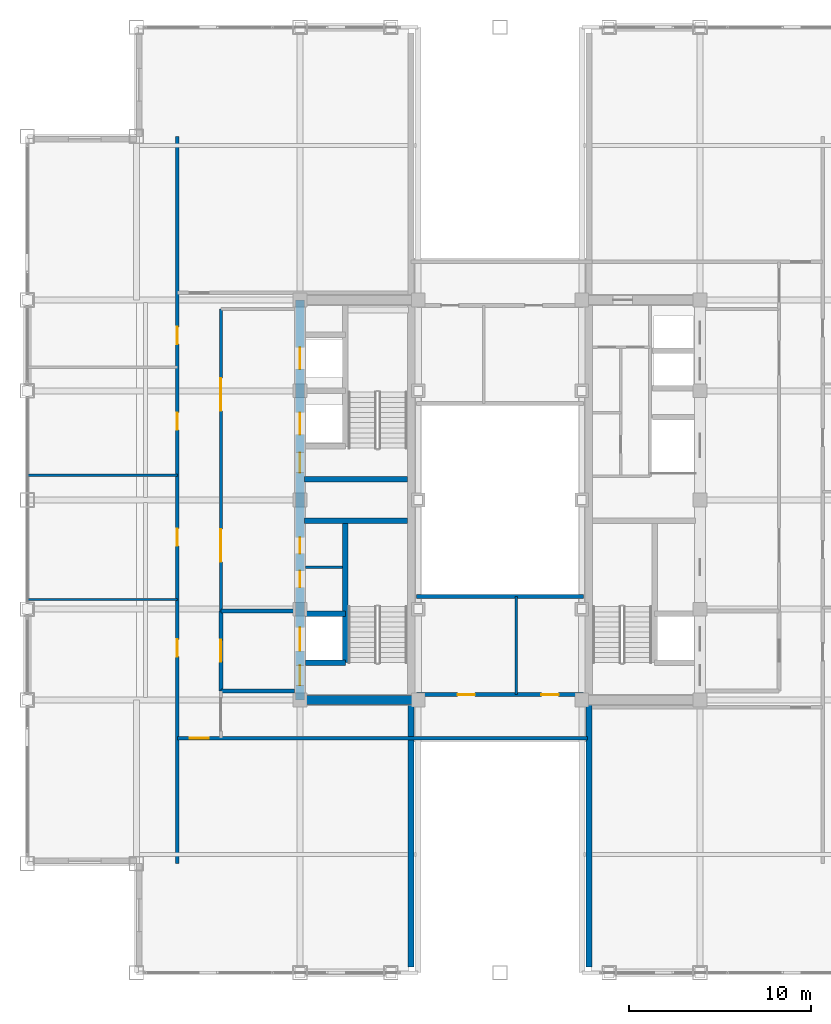
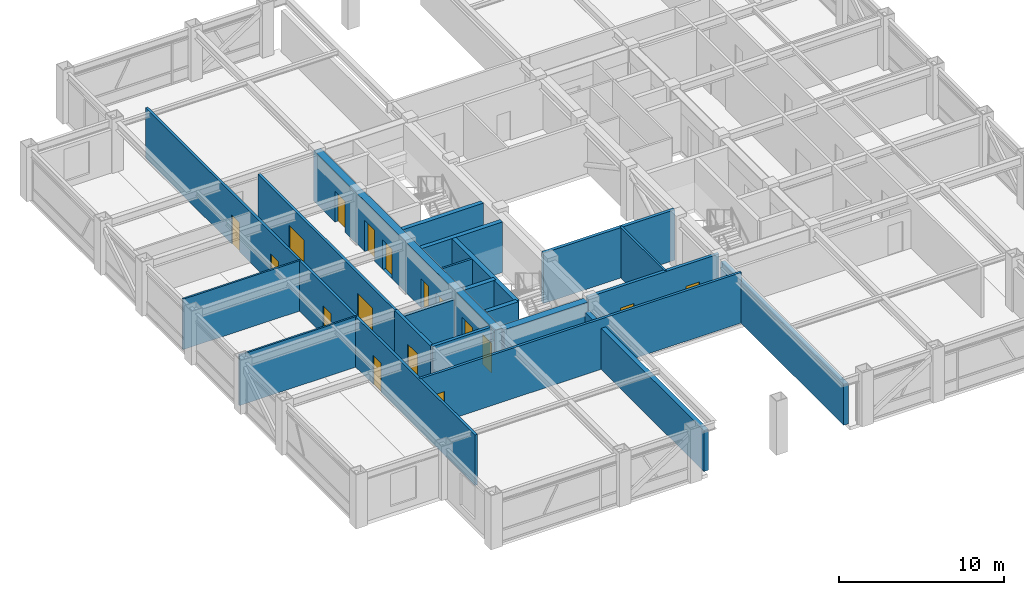
# One storey, part 25 of 29: 21 walls, 17 doors, 17 openings.
"""IFC4 building model written with IfcOpenShell, lengths in metres."""

from ifc_helpers import new_model, si_unit, direction, frame, frame_2d, origin, place, context, subcontext, project, spatial, rectangle, extrude, source, transform, mapped, material, layer, layer_set, type_object, element, fill, save


model = new_model("IFC4")

# Units and contexts
model_context = context("Model", 3, precision=1e-05, world=origin(), true_north=direction((0.0, 1.0)))
body_context = subcontext(model_context, "Body", "Model", "MODEL_VIEW")
ifc_project = project(units=[si_unit("LENGTHUNIT", "METRE"), si_unit("AREAUNIT", "SQUARE_METRE"), si_unit("VOLUMEUNIT", "CUBIC_METRE"), si_unit("PLANEANGLEUNIT", "RADIAN"), si_unit("MASSUNIT", "GRAM", prefix="KILO")], contexts=[model_context])

# Site, building, storey
site_placement = place(None, origin())
site = spatial("IfcSite", under=ifc_project, at=site_placement, CompositionType="ELEMENT")
building_placement = place(site_placement, origin())
building = spatial("IfcBuilding", under=site, at=building_placement, Name="Khorayat Bourse Tower", CompositionType="ELEMENT")
storey_placement = place(building_placement, frame((0.0, 0.0, 350.300048828125)))
storey = spatial("IfcBuildingStorey", under=building, at=storey_placement, Name="L83", CompositionType="ELEMENT", Elevation=350.300048828125)

# Wall, openings, doors
ifc_material_1 = material(Name="Concrete C52/65", Category="concrete")
ifc_layer_1 = layer(ifc_material_1, 0.5)
ifc_layer_set_1 = layer_set([ifc_layer_1], Name="Concrete C52/65")
wall_type_1 = type_object("IfcWallType", Name="WAL-CORE-500", PredefinedType="SHEAR", material=ifc_layer_set_1)
shared_shape_1 = source(origin(), body_context, "Body", "SweptSolid", [
    extrude(rectangle(XDim=22.0, YDim=0.5, at=frame_2d((11.0, 0.0))), origin(), (0.0, 0.0, 1.0), 3.739990234375),
])
wall_1_placement = place(storey_placement, frame((-11.0, -11.0, 0.0), z_axis=(0.0, 0.0, 1.0), x_axis=(0.0, 1.0, 0.0)))
wall_1 = element("IfcWall", 1, at=wall_1_placement, inside=storey, type_object=wall_type_1, Name="L83 Core Shear Wall CORE-W", PredefinedType="SHEAR", context=body_context, shape_type="MappedRepresentation", body=[
    mapped(shared_shape_1, transform((0.0, 0.0, 0.0), scale=1.0)),
])
shared_shape_2 = source(origin(), body_context, "Body", "SweptSolid", [
    extrude(rectangle(XDim=1.10009765625, YDim=2.199951171875, at=frame_2d((0.550048828125, 1.10009765625))), frame((0.0, 0.260009765625, 0.0), z_axis=(0.0, -1.0, 0.0), x_axis=(1.0, 0.0, 0.0)), (0.0, 0.0, 1.0), 0.52001953125),
])
opening_1_placement = place(wall_1_placement, frame((0.800048828125, 0.0, 0.0)))
opening_1 = element("IfcOpeningElement", 2, at=opening_1_placement, cuts=wall_1, Name="Opening DI-01", PredefinedType="OPENING", context=body_context, shape_type="MappedRepresentation", body=[
    mapped(shared_shape_2, transform((0.0, 0.0, 0.0), scale=1.0)),
])
opening_2_placement = place(wall_1_placement, frame((12.5, 0.0, 0.0)))
opening_2 = element("IfcOpeningElement", 3, at=opening_2_placement, cuts=wall_1, Name="Opening DI-01", PredefinedType="OPENING", context=body_context, shape_type="MappedRepresentation", body=[
    mapped(shared_shape_2, transform((0.0, 0.0, 0.0), scale=1.0)),
])
shared_shape_3 = source(origin(), body_context, "Body", "SweptSolid", [
    extrude(rectangle(XDim=0.89990234375, YDim=2.14990234375, at=frame_2d((0.449951171875, 1.074951171875))), frame((0.0, 0.260009765625, 0.0), z_axis=(0.0, -1.0, 0.0), x_axis=(1.0, 0.0, 0.0)), (0.0, 0.0, 1.0), 0.52001953125),
])
opening_3_placement = place(wall_1_placement, frame((6.199951171875, 0.0, 0.0)))
opening_3 = element("IfcOpeningElement", 4, at=opening_3_placement, cuts=wall_1, Name="Opening DI-06", PredefinedType="OPENING", context=body_context, shape_type="MappedRepresentation", body=[
    mapped(shared_shape_3, transform((0.0, 0.0, 0.0), scale=1.0)),
])
opening_4_placement = place(wall_1_placement, frame((8.050048828125, 0.0, 0.0)))
opening_4 = element("IfcOpeningElement", 5, at=opening_4_placement, cuts=wall_1, Name="Opening DI-06", PredefinedType="OPENING", context=body_context, shape_type="MappedRepresentation", body=[
    mapped(shared_shape_3, transform((0.0, 0.0, 0.0), scale=1.0)),
])
shared_shape_4 = source(origin(), body_context, "Body", "SweptSolid", [
    extrude(rectangle(XDim=1.199951171875, YDim=2.300048828125, at=frame_2d((0.60009765625, 1.14990234375))), frame((0.0, 0.260009765625, 0.0), z_axis=(0.0, -1.0, 0.0), x_axis=(1.0, 0.0, 0.0)), (0.0, 0.0, 1.0), 0.52001953125),
])
opening_5_placement = place(wall_1_placement, frame((14.60009765625, 0.0, 0.0)))
opening_5 = element("IfcOpeningElement", 6, at=opening_5_placement, cuts=wall_1, Name="Opening LD-01", PredefinedType="OPENING", context=body_context, shape_type="MappedRepresentation", body=[
    mapped(shared_shape_4, transform((0.0, 0.0, 0.0), scale=1.0)),
])
opening_6_placement = place(wall_1_placement, frame((18.199951171875, 0.0, 0.0)))
opening_6 = element("IfcOpeningElement", 7, at=opening_6_placement, cuts=wall_1, Name="Opening LD-01", PredefinedType="OPENING", context=body_context, shape_type="MappedRepresentation", body=[
    mapped(shared_shape_4, transform((0.0, 0.0, 0.0), scale=1.0)),
])
shared_shape_5 = source(origin(), body_context, "Body", "SweptSolid", [
    extrude(rectangle(XDim=1.300048828125, YDim=2.300048828125, at=frame_2d((0.64990234375, 1.14990234375))), frame((0.0, 0.260009765625, 0.0), z_axis=(0.0, -1.0, 0.0), x_axis=(1.0, 0.0, 0.0)), (0.0, 0.0, 1.0), 0.52001953125),
])
opening_7_placement = place(wall_1_placement, frame((2.699951171875, 0.0, 0.0)))
opening_7 = element("IfcOpeningElement", 8, at=opening_7_placement, cuts=wall_1, Name="Opening LD-02", PredefinedType="OPENING", context=body_context, shape_type="MappedRepresentation", body=[
    mapped(shared_shape_5, transform((0.0, 0.0, 0.0), scale=1.0)),
])
ifc_material_2 = material(Name="Fire-rated steel acoustic leaf", Category="steel")
door_type_1 = type_object("IfcDoorType", Name="DR-INT-STAIR-1100", OperationType="NOTDEFINED", PredefinedType="DOOR", material=ifc_material_2)
shared_shape_6 = source(origin(), body_context, "Body", "SweptSolid", [
    extrude(rectangle(XDim=1.10009765625, YDim=2.199951171875, at=frame_2d((0.550048828125, 1.10009765625))), frame((0.0, 0.02490234375, 0.0), z_axis=(0.0, -1.0, 0.0), x_axis=(1.0, 0.0, 0.0)), (0.0, 0.0, 1.0), 0.050048828125),
])
door_1_placement = place(opening_1_placement, origin())
door_1 = element("IfcDoor", 9, at=door_1_placement, inside=storey, type_object=door_type_1, Name="L83 Exit Stair 1 Door", OperationType="SINGLE_SWING_RIGHT", OverallHeight=2.199951171875, OverallWidth=1.10009765625, PredefinedType="DOOR", context=body_context, shape_type="MappedRepresentation", body=[
    mapped(shared_shape_6, transform((0.0, 0.0, 0.0), scale=1.0)),
])
fill(opening_1, door_1)
door_2_placement = place(opening_2_placement, origin())
door_2 = element("IfcDoor", 10, at=door_2_placement, inside=storey, type_object=door_type_1, Name="L83 Exit Stair 2 Door", OperationType="SINGLE_SWING_RIGHT", OverallHeight=2.199951171875, OverallWidth=1.10009765625, PredefinedType="DOOR", context=body_context, shape_type="MappedRepresentation", body=[
    mapped(shared_shape_6, transform((0.0, 0.0, 0.0), scale=1.0)),
])
fill(opening_2, door_2)
ifc_material_3 = material(Name="Moisture-resistant laminate washroom door")
door_type_2 = type_object("IfcDoorType", Name="DR-INT-WC-900", OperationType="NOTDEFINED", PredefinedType="DOOR", material=ifc_material_3)
shared_shape_7 = source(origin(), body_context, "Body", "SweptSolid", [
    extrude(rectangle(XDim=0.89990234375, YDim=2.14990234375, at=frame_2d((0.449951171875, 1.074951171875))), frame((0.0, 0.02490234375, 0.0), z_axis=(0.0, -1.0, 0.0), x_axis=(1.0, 0.0, 0.0)), (0.0, 0.0, 1.0), 0.050048828125),
])
door_3_placement = place(opening_3_placement, origin())
door_3 = element("IfcDoor", 11, at=door_3_placement, inside=storey, type_object=door_type_2, Name="L83 Electrical Plant Room Door", OperationType="SINGLE_SWING_RIGHT", OverallHeight=2.14990234375, OverallWidth=0.89990234375, PredefinedType="DOOR", context=body_context, shape_type="MappedRepresentation", body=[
    mapped(shared_shape_7, transform((0.0, 0.0, 0.0), scale=1.0)),
])
fill(opening_3, door_3)
door_4_placement = place(opening_4_placement, origin())
door_4 = element("IfcDoor", 12, at=door_4_placement, inside=storey, type_object=door_type_2, Name="L83 Cleaner Storage Room Door", OperationType="SINGLE_SWING_LEFT", OverallHeight=2.14990234375, OverallWidth=0.89990234375, PredefinedType="DOOR", context=body_context, shape_type="MappedRepresentation", body=[
    mapped(shared_shape_7, transform((0.0, 0.0, 0.0), scale=1.0)),
])
fill(opening_4, door_4)
ifc_material_4 = material(Name="Brushed bronze stainless-steel sliding door", Category="steel")
door_type_3 = type_object("IfcDoorType", Name="DR-LIFT-PASS-1200", OperationType="NOTDEFINED", PredefinedType="DOOR", material=ifc_material_4)
shared_shape_8 = source(origin(), body_context, "Body", "SweptSolid", [
    extrude(rectangle(XDim=1.199951171875, YDim=2.300048828125, at=frame_2d((0.60009765625, 1.14990234375))), frame((0.0, 0.02490234375, 0.0), z_axis=(0.0, -1.0, 0.0), x_axis=(1.0, 0.0, 0.0)), (0.0, 0.0, 1.0), 0.050048828125),
])
door_5_placement = place(opening_5_placement, origin())
door_5 = element("IfcDoor", 13, at=door_5_placement, inside=storey, type_object=door_type_3, Name="L83 Lift PL-H1 Sliding Landing Door", OperationType="SLIDING_TO_LEFT", OverallHeight=2.300048828125, OverallWidth=1.199951171875, PredefinedType="DOOR", context=body_context, shape_type="MappedRepresentation", body=[
    mapped(shared_shape_8, transform((0.0, 0.0, 0.0), scale=1.0)),
])
fill(opening_5, door_5)
door_6_placement = place(opening_6_placement, origin())
door_6 = element("IfcDoor", 14, at=door_6_placement, inside=storey, type_object=door_type_3, Name="L83 Lift PL-H2 Sliding Landing Door", OperationType="SLIDING_TO_LEFT", OverallHeight=2.300048828125, OverallWidth=1.199951171875, PredefinedType="DOOR", context=body_context, shape_type="MappedRepresentation", body=[
    mapped(shared_shape_8, transform((0.0, 0.0, 0.0), scale=1.0)),
])
fill(opening_6, door_6)
ifc_material_5 = material(Name="Fire-rated stainless-steel sliding landing door", Category="steel")
door_type_4 = type_object("IfcDoorType", Name="DR-LIFT-FF-1300", OperationType="NOTDEFINED", PredefinedType="DOOR", material=ifc_material_5)
shared_shape_9 = source(origin(), body_context, "Body", "SweptSolid", [
    extrude(rectangle(XDim=1.300048828125, YDim=2.300048828125, at=frame_2d((0.64990234375, 1.14990234375))), frame((0.0, 0.02490234375, 0.0), z_axis=(0.0, -1.0, 0.0), x_axis=(1.0, 0.0, 0.0)), (0.0, 0.0, 1.0), 0.050048828125),
])
door_7_placement = place(opening_7_placement, origin())
door_7 = element("IfcDoor", 15, at=door_7_placement, inside=storey, type_object=door_type_4, Name="L83 Lift FFL-01 Sliding Landing Door", OperationType="SLIDING_TO_LEFT", OverallHeight=2.300048828125, OverallWidth=1.300048828125, PredefinedType="DOOR", context=body_context, shape_type="MappedRepresentation", body=[
    mapped(shared_shape_9, transform((0.0, 0.0, 0.0), scale=1.0)),
])
fill(opening_7, door_7)

# Walls
shared_shape_10 = source(origin(), body_context, "Body", "SweptSolid", [
    extrude(rectangle(XDim=5.89990234375, YDim=0.5, at=frame_2d((2.949951171875, 0.0))), origin(), (0.0, 0.0, 1.0), 3.739990234375),
])
wall_2_placement = place(storey_placement, frame((-10.75, -11.0, 0.0), z_axis=(0.0, 0.0, 1.0), x_axis=(1.0, 0.0, 0.0)))
element("IfcWall", 16, at=wall_2_placement, inside=storey, type_object=wall_type_1, Name="L83 Core Shear Wall PIER-WS", PredefinedType="SHEAR", context=body_context, shape_type="MappedRepresentation", body=[
    mapped(shared_shape_10, transform((0.0, 0.0, 0.0), scale=1.0)),
])
ifc_material_6 = material(Name="Concrete C50/60", Category="concrete")
ifc_layer_2 = layer(ifc_material_6, 0.300048828125)
ifc_layer_set_2 = layer_set([ifc_layer_2], Name="Concrete C50/60")
wall_type_2 = type_object("IfcWallType", Name="WAL-SHAFT-300", PredefinedType="SHEAR", material=ifc_layer_set_2)
shared_shape_11 = source(origin(), body_context, "Body", "SweptSolid", [
    extrude(rectangle(XDim=5.64990234375, YDim=0.300048828125, at=frame_2d((2.824951171875, 0.0))), origin(), (0.0, 0.0, 1.0), 3.739990234375),
])
for number, where, z_axis, x_axis, name in (
    (17, (-10.75, -1.14990234375, 0.0), (0.0, 0.0, 1.0), (1.0, 0.0, 0.0), "L83 Core Shear Wall ST1-DIV"),
    (18, (-10.75, 1.14990234375, 0.0), (0.0, 0.0, 1.0), (1.0, 0.0, 0.0), "L83 Core Shear Wall ST2-DIV"),
):
    element("IfcWall", number, at=place(storey_placement, frame(where, z_axis=z_axis, x_axis=x_axis)), inside=storey, type_object=wall_type_2, Name=name, PredefinedType="SHEAR", context=body_context, shape_type="MappedRepresentation", body=[
        mapped(shared_shape_11, transform((0.0, 0.0, 0.0), scale=1.0)),
    ])
ifc_material_7 = material(Name="Precast concrete C45/55", Category="concrete")
ifc_layer_3 = layer(ifc_material_7, 0.320068359375)
ifc_layer_set_3 = layer_set([ifc_layer_3], Name="Precast concrete C45/55")
wall_type_3 = type_object("IfcWallType", Name="WAL-EXT-STONE-320", PredefinedType="STANDARD", material=ifc_layer_set_3)
shared_shape_12 = source(origin(), body_context, "Body", "SweptSolid", [
    extrude(rectangle(XDim=14.97998046875, YDim=0.320068359375, at=frame_2d((7.489990234375, 0.0))), origin(), (0.0, 0.0, 1.0), 3.044921875),
])
for number, where, z_axis, x_axis, name in (
    (19, (-4.89990234375, -25.679931640625, 0.0), (0.0, 0.0, 1.0), (0.0, 1.0, 0.0), "L83 Wind Portal West Cheek Wall S"),
    (20, (4.89990234375, -25.679931640625, 0.0), (0.0, 0.0, 1.0), (0.0, 1.0, 0.0), "L83 Wind Portal East Cheek Wall S"),
):
    element("IfcWall", number, at=place(storey_placement, frame(where, z_axis=z_axis, x_axis=x_axis)), inside=storey, type_object=wall_type_3, Name=name, PredefinedType="STANDARD", context=body_context, shape_type="MappedRepresentation", body=[
        mapped(shared_shape_12, transform((0.0, 0.0, 0.0), scale=1.0)),
    ])
shared_shape_13 = source(origin(), body_context, "Body", "SweptSolid", [
    extrude(rectangle(XDim=7.800048828125, YDim=0.300048828125, at=frame_2d((3.89990234375, 0.0))), origin(), (0.0, 0.0, 1.0), 3.739990234375),
])
wall_3_placement = place(storey_placement, frame((-8.5, -8.949951171875, 0.0), z_axis=(0.0, 0.0, 1.0), x_axis=(0.0, 1.0, 0.0)))
element("IfcWall", 21, at=wall_3_placement, inside=storey, type_object=wall_type_2, Name="L83 Partition WAL-L83-WPIER-SP", PredefinedType="SHEAR", context=body_context, shape_type="MappedRepresentation", body=[
    mapped(shared_shape_13, transform((0.0, 0.0, 0.0), scale=1.0)),
])
shared_shape_14 = source(origin(), body_context, "Body", "SweptSolid", [
    extrude(rectangle(XDim=2.199951171875, YDim=0.300048828125, at=frame_2d((1.10009765625, 0.0))), origin(), (0.0, 0.0, 1.0), 3.739990234375),
])
for number, where, z_axis, x_axis, name in (
    (22, (-10.699951171875, -8.949951171875, 0.0), (0.0, 0.0, 1.0), (1.0, 0.0, 0.0), "L83 Partition WAL-L83-WPIER-FF1S"),
    (23, (-10.699951171875, -6.25, 0.0), (0.0, 0.0, 1.0), (1.0, 0.0, 0.0), "L83 Partition WAL-L83-WPIER-FF1N"),
):
    element("IfcWall", number, at=place(storey_placement, frame(where, z_axis=z_axis, x_axis=x_axis)), inside=storey, type_object=wall_type_2, Name=name, PredefinedType="SHEAR", context=body_context, shape_type="MappedRepresentation", body=[
        mapped(shared_shape_14, transform((0.0, 0.0, 0.0), scale=1.0)),
    ])
ifc_material_8 = material(Name="Gypsum plasterboard twin-frame partition")
ifc_layer_4 = layer(ifc_material_8, 0.14990234375)
ifc_layer_set_4 = layer_set([ifc_layer_4], Name="Gypsum plasterboard twin-frame partition")
wall_type_4 = type_object("IfcWallType", Name="WAL-PART-SUITE-150", PredefinedType="PARTITIONING", material=ifc_layer_set_4)
shared_shape_15 = source(origin(), body_context, "Body", "SweptSolid", [
    extrude(rectangle(XDim=2.050048828125, YDim=0.14990234375, at=frame_2d((1.02490234375, 0.0))), origin(), (0.0, 0.0, 1.0), 3.739990234375),
])
wall_4_placement = place(storey_placement, frame((-10.699951171875, -3.699951171875, 0.0), z_axis=(0.0, 0.0, 1.0), x_axis=(1.0, 0.0, 0.0)))
element("IfcWall", 24, at=wall_4_placement, inside=storey, type_object=wall_type_4, Name="L83 Partition WAL-L83-WSRV-D1", PredefinedType="PARTITIONING", context=body_context, shape_type="MappedRepresentation", body=[
    mapped(shared_shape_15, transform((0.0, 0.0, 0.0), scale=1.0)),
])
ifc_material_9 = material(Name="Aerated concrete blockwork", Category="masonry")
ifc_layer_5 = layer(ifc_material_9, 0.219970703125)
ifc_layer_set_5 = layer_set([ifc_layer_5], Name="Aerated concrete blockwork")
wall_type_5 = type_object("IfcWallType", Name="WAL-PART-FF-220", PredefinedType="PARTITIONING", material=ifc_layer_set_5)
shared_shape_16 = source(origin(), body_context, "Body", "SweptSolid", [
    extrude(rectangle(XDim=4.050048828125, YDim=0.219970703125, at=frame_2d((2.02490234375, 0.0))), origin(), (0.0, 0.0, 1.0), 3.739990234375),
])
wall_5_placement = place(storey_placement, frame((-15.35009765625, -10.5, 0.0), z_axis=(0.0, 0.0, 1.0), x_axis=(1.0, 0.0, 0.0)))
element("IfcWall", 25, at=wall_5_placement, inside=storey, type_object=wall_type_5, Name="L83 Partition WAL-L83-FFLW-S", PredefinedType="PARTITIONING", context=body_context, shape_type="MappedRepresentation", body=[
    mapped(shared_shape_16, transform((0.0, 0.0, 0.0), scale=1.0)),
])
shared_shape_17 = source(origin(), body_context, "Body", "SweptSolid", [
    extrude(rectangle(XDim=4.050048828125, YDim=0.219970703125, at=frame_2d((2.02490234375, 0.0))), origin(), (0.0, 0.0, 1.0), 3.1240234375),
])
wall_6_placement = place(storey_placement, frame((-15.35009765625, -6.10009765625, 0.0), z_axis=(0.0, 0.0, 1.0), x_axis=(1.0, 0.0, 0.0)))
element("IfcWall", 26, at=wall_6_placement, inside=storey, type_object=wall_type_5, Name="L83 Partition WAL-L83-FFLW-N", PredefinedType="PARTITIONING", context=body_context, shape_type="MappedRepresentation", body=[
    mapped(shared_shape_17, transform((0.0, 0.0, 0.0), scale=1.0)),
])

# Wall, opening, door
shared_shape_18 = source(origin(), body_context, "Body", "SweptSolid", [
    extrude(rectangle(XDim=4.39990234375, YDim=0.219970703125, at=frame_2d((2.199951171875, 0.0))), origin(), (0.0, 0.0, 1.0), 3.739990234375),
])
wall_7_placement = place(storey_placement, frame((-15.35009765625, -10.5, 0.0), z_axis=(0.0, 0.0, 1.0), x_axis=(0.0, 1.0, 0.0)))
wall_7 = element("IfcWall", 27, at=wall_7_placement, inside=storey, type_object=wall_type_5, Name="L83 Partition WAL-L83-FFLW-W", PredefinedType="PARTITIONING", context=body_context, shape_type="MappedRepresentation", body=[
    mapped(shared_shape_18, transform((0.0, 0.0, 0.0), scale=1.0)),
])
shared_shape_19 = source(origin(), body_context, "Body", "SweptSolid", [
    extrude(rectangle(XDim=1.199951171875, YDim=2.199951171875, at=frame_2d((0.60009765625, 1.10009765625))), frame((0.0, 0.119873046875, 0.0), z_axis=(0.0, -1.0, 0.0), x_axis=(1.0, 0.0, 0.0)), (0.0, 0.0, 1.0), 0.239990234375),
])
opening_8_placement = place(wall_7_placement, frame((1.60009765625, 0.0, 0.0)))
opening_8 = element("IfcOpeningElement", 28, at=opening_8_placement, cuts=wall_7, Name="Opening DI-02", PredefinedType="OPENING", context=body_context, shape_type="MappedRepresentation", body=[
    mapped(shared_shape_19, transform((0.0, 0.0, 0.0), scale=1.0)),
])
ifc_material_10 = material(Name="Fire-rated steel double-seal leaf", Category="steel")
door_type_5 = type_object("IfcDoorType", Name="DR-INT-FFLOBBY-1200", OperationType="NOTDEFINED", PredefinedType="DOOR", material=ifc_material_10)
shared_shape_20 = source(origin(), body_context, "Body", "SweptSolid", [
    extrude(rectangle(XDim=1.199951171875, YDim=2.199951171875, at=frame_2d((0.60009765625, 1.10009765625))), frame((0.0, 0.02490234375, 0.0), z_axis=(0.0, -1.0, 0.0), x_axis=(1.0, 0.0, 0.0)), (0.0, 0.0, 1.0), 0.050048828125),
])
door_8_placement = place(opening_8_placement, origin())
door_8 = element("IfcDoor", 29, at=door_8_placement, inside=storey, type_object=door_type_5, Name="L83 West Firefighting Lobby Door", OperationType="SINGLE_SWING_LEFT", OverallHeight=2.199951171875, OverallWidth=1.199951171875, PredefinedType="DOOR", context=body_context, shape_type="MappedRepresentation", body=[
    mapped(shared_shape_20, transform((0.0, 0.0, 0.0), scale=1.0)),
])
fill(opening_8, door_8)

# Wall, openings, doors
ifc_material_11 = material(Name="Gypsum plasterboard acoustic stud wall")
ifc_layer_6 = layer(ifc_material_11, 0.179931640625)
ifc_layer_set_6 = layer_set([ifc_layer_6], Name="Gypsum plasterboard acoustic stud wall")
wall_type_6 = type_object("IfcWallType", Name="WAL-PART-CORR-180", PredefinedType="PARTITIONING", material=ifc_layer_set_6)
shared_shape_21 = source(origin(), body_context, "Body", "SweptSolid", [
    extrude(rectangle(XDim=16.60009765625, YDim=0.179931640625, at=frame_2d((8.300048828125, 0.0))), origin(), (0.0, 0.0, 1.0), 3.739990234375),
])
wall_8_placement = place(storey_placement, frame((-15.35009765625, -6.10009765625, 0.0), z_axis=(0.0, 0.0, 1.0), x_axis=(0.0, 1.0, 0.0)))
wall_8 = element("IfcWall", 30, at=wall_8_placement, inside=storey, type_object=wall_type_6, Name="L83 Partition WAL-L83-WLOB-W", PredefinedType="PARTITIONING", context=body_context, shape_type="MappedRepresentation", body=[
    mapped(shared_shape_21, transform((0.0, 0.0, 0.0), scale=1.0)),
])
shared_shape_22 = source(origin(), body_context, "Body", "SweptSolid", [
    extrude(rectangle(XDim=1.800048828125, YDim=2.25, at=frame_2d((0.89990234375, 1.125))), frame((0.0, 0.099853515625, 0.0), z_axis=(0.0, -1.0, 0.0), x_axis=(1.0, 0.0, 0.0)), (0.0, 0.0, 1.0), 0.199951171875),
])
opening_9_placement = place(wall_8_placement, frame((2.699951171875, 0.0, 0.0)))
opening_9 = element("IfcOpeningElement", 31, at=opening_9_placement, cuts=wall_8, Name="Opening DI-03", PredefinedType="OPENING", context=body_context, shape_type="MappedRepresentation", body=[
    mapped(shared_shape_22, transform((0.0, 0.0, 0.0), scale=1.0)),
])
opening_10_placement = place(wall_8_placement, frame((11.0, 0.0, 0.0)))
opening_10 = element("IfcOpeningElement", 32, at=opening_10_placement, cuts=wall_8, Name="Opening DI-03", PredefinedType="OPENING", context=body_context, shape_type="MappedRepresentation", body=[
    mapped(shared_shape_22, transform((0.0, 0.0, 0.0), scale=1.0)),
])
ifc_material_12 = material(Name="Fire-rated hardwood vision-panel double leaf", Category="wood")
door_type_6 = type_object("IfcDoorType", Name="DR-INT-CORR-1800", OperationType="NOTDEFINED", PredefinedType="DOOR", material=ifc_material_12)
shared_shape_23 = source(origin(), body_context, "Body", "SweptSolid", [
    extrude(rectangle(XDim=1.800048828125, YDim=2.25, at=frame_2d((0.89990234375, 1.125))), frame((0.0, 0.02490234375, 0.0), z_axis=(0.0, -1.0, 0.0), x_axis=(1.0, 0.0, 0.0)), (0.0, 0.0, 1.0), 0.050048828125),
])
door_9_placement = place(opening_9_placement, origin())
door_9 = element("IfcDoor", 33, at=door_9_placement, inside=storey, type_object=door_type_6, Name="L83 West Core Lobby South Door", OperationType="SINGLE_SWING_LEFT", OverallHeight=2.25, OverallWidth=1.800048828125, PredefinedType="DOOR", context=body_context, shape_type="MappedRepresentation", body=[
    mapped(shared_shape_23, transform((0.0, 0.0, 0.0), scale=1.0)),
])
fill(opening_9, door_9)
door_10_placement = place(opening_10_placement, origin())
door_10 = element("IfcDoor", 34, at=door_10_placement, inside=storey, type_object=door_type_6, Name="L83 West Core Lobby North Door", OperationType="SINGLE_SWING_RIGHT", OverallHeight=2.25, OverallWidth=1.800048828125, PredefinedType="DOOR", context=body_context, shape_type="MappedRepresentation", body=[
    mapped(shared_shape_23, transform((0.0, 0.0, 0.0), scale=1.0)),
])
fill(opening_10, door_10)

# Wall
shared_shape_24 = source(origin(), body_context, "Body", "SweptSolid", [
    extrude(rectangle(XDim=5.39990234375, YDim=0.14990234375, at=frame_2d((2.699951171875, 0.0))), origin(), (0.0, 0.0, 1.0), 3.739990234375),
])
wall_9_placement = place(storey_placement, frame((0.89990234375, -10.699951171875, 0.0), z_axis=(0.0, 0.0, 1.0), x_axis=(0.0, 1.0, 0.0)))
element("IfcWall", 35, at=wall_9_placement, inside=storey, type_object=wall_type_4, Name="L83 Partition WAL-L83-WPB1-D", PredefinedType="PARTITIONING", context=body_context, shape_type="MappedRepresentation", body=[
    mapped(shared_shape_24, transform((0.0, 0.0, 0.0), scale=1.0)),
])

# Wall, openings, doors
shared_shape_25 = source(origin(), body_context, "Body", "SweptSolid", [
    extrude(rectangle(XDim=9.2001953125, YDim=0.219970703125, at=frame_2d((4.60009765625, 0.0))), origin(), (0.0, 0.0, 1.0), 3.739990234375),
])
wall_10_placement = place(storey_placement, frame((-4.60009765625, -10.699951171875, 0.0), z_axis=(0.0, 0.0, 1.0), x_axis=(1.0, 0.0, 0.0)))
wall_10 = element("IfcWall", 36, at=wall_10_placement, inside=storey, type_object=wall_type_5, Name="L83 Partition WAL-L83-WPB1-S", PredefinedType="PARTITIONING", context=body_context, shape_type="MappedRepresentation", body=[
    mapped(shared_shape_25, transform((0.0, 0.0, 0.0), scale=1.0)),
])
shared_shape_26 = source(origin(), body_context, "Body", "SweptSolid", [
    extrude(rectangle(XDim=0.949951171875, YDim=2.14990234375, at=frame_2d((0.47509765625, 1.074951171875))), frame((0.0, 0.119873046875, 0.0), z_axis=(0.0, -1.0, 0.0), x_axis=(1.0, 0.0, 0.0)), (0.0, 0.0, 1.0), 0.239990234375),
])
opening_11_placement = place(wall_10_placement, frame((2.27490234375, 0.0, 0.0)))
opening_11 = element("IfcOpeningElement", 37, at=opening_11_placement, cuts=wall_10, Name="Opening DI-05", PredefinedType="OPENING", context=body_context, shape_type="MappedRepresentation", body=[
    mapped(shared_shape_26, transform((0.0, 0.0, 0.0), scale=1.0)),
])
opening_12_placement = place(wall_10_placement, frame((6.875, 0.0, 0.0)))
opening_12 = element("IfcOpeningElement", 38, at=opening_12_placement, cuts=wall_10, Name="Opening DI-05", PredefinedType="OPENING", context=body_context, shape_type="MappedRepresentation", body=[
    mapped(shared_shape_26, transform((0.0, 0.0, 0.0), scale=1.0)),
])
ifc_material_13 = material(Name="Acoustic oak veneer office door")
door_type_7 = type_object("IfcDoorType", Name="DR-INT-OFFICE-950", OperationType="NOTDEFINED", PredefinedType="DOOR", material=ifc_material_13)
shared_shape_27 = source(origin(), body_context, "Body", "SweptSolid", [
    extrude(rectangle(XDim=0.949951171875, YDim=2.14990234375, at=frame_2d((0.47509765625, 1.074951171875))), frame((0.0, 0.02490234375, 0.0), z_axis=(0.0, -1.0, 0.0), x_axis=(1.0, 0.0, 0.0)), (0.0, 0.0, 1.0), 0.050048828125),
])
door_11_placement = place(opening_11_placement, origin())
door_11 = element("IfcDoor", 39, at=door_11_placement, inside=storey, type_object=door_type_7, Name="L83 South Bridge Archive Door", OperationType="SINGLE_SWING_LEFT", OverallHeight=2.14990234375, OverallWidth=0.949951171875, PredefinedType="DOOR", context=body_context, shape_type="MappedRepresentation", body=[
    mapped(shared_shape_27, transform((0.0, 0.0, 0.0), scale=1.0)),
])
fill(opening_11, door_11)
door_12_placement = place(opening_12_placement, origin())
door_12 = element("IfcDoor", 40, at=door_12_placement, inside=storey, type_object=door_type_7, Name="L83 South Bridge Telemetry Door", OperationType="SINGLE_SWING_RIGHT", OverallHeight=2.14990234375, OverallWidth=0.949951171875, PredefinedType="DOOR", context=body_context, shape_type="MappedRepresentation", body=[
    mapped(shared_shape_27, transform((0.0, 0.0, 0.0), scale=1.0)),
])
fill(opening_12, door_12)

# Wall
wall_11_placement = place(storey_placement, frame((-4.60009765625, -5.300048828125, 0.0), z_axis=(0.0, 0.0, 1.0), x_axis=(1.0, 0.0, 0.0)))
element("IfcWall", 41, at=wall_11_placement, inside=storey, type_object=wall_type_5, Name="L83 Partition WAL-L83-WPB1-N", PredefinedType="PARTITIONING", context=body_context, shape_type="MappedRepresentation", body=[
    mapped(shared_shape_25, transform((0.0, 0.0, 0.0), scale=1.0)),
])

# Wall, opening, door
shared_shape_28 = source(origin(), body_context, "Body", "SweptSolid", [
    extrude(rectangle(XDim=22.550048828125, YDim=0.179931640625, at=frame_2d((11.27490234375, 0.0))), origin(), (0.0, 0.0, 1.0), 3.739990234375),
])
wall_12_placement = place(storey_placement, frame((-17.75, -13.10009765625, 0.0), z_axis=(0.0, 0.0, 1.0), x_axis=(1.0, 0.0, 0.0)))
wall_12 = element("IfcWall", 42, at=wall_12_placement, inside=storey, type_object=wall_type_6, Name="L83 Partition WAL-L83-WPS-N", PredefinedType="PARTITIONING", context=body_context, shape_type="MappedRepresentation", body=[
    mapped(shared_shape_28, transform((0.0, 0.0, 0.0), scale=1.0)),
])
shared_shape_29 = source(origin(), body_context, "Body", "SweptSolid", [
    extrude(rectangle(XDim=1.050048828125, YDim=2.199951171875, at=frame_2d((0.52490234375, 1.10009765625))), frame((0.0, 0.099853515625, 0.0), z_axis=(0.0, -1.0, 0.0), x_axis=(1.0, 0.0, 0.0)), (0.0, 0.0, 1.0), 0.199951171875),
])
opening_13_placement = place(wall_12_placement, frame((0.675048828125, 0.0, 0.0)))
opening_13 = element("IfcOpeningElement", 43, at=opening_13_placement, cuts=wall_12, Name="Opening DI-04", PredefinedType="OPENING", context=body_context, shape_type="MappedRepresentation", body=[
    mapped(shared_shape_29, transform((0.0, 0.0, 0.0), scale=1.0)),
])
ifc_material_14 = material(Name="Fire-rated oak veneer suite entrance door")
door_type_8 = type_object("IfcDoorType", Name="DR-INT-SUITE-1050", OperationType="NOTDEFINED", PredefinedType="DOOR", material=ifc_material_14)
shared_shape_30 = source(origin(), body_context, "Body", "SweptSolid", [
    extrude(rectangle(XDim=1.050048828125, YDim=2.199951171875, at=frame_2d((0.52490234375, 1.10009765625))), frame((0.0, 0.02490234375, 0.0), z_axis=(0.0, -1.0, 0.0), x_axis=(1.0, 0.0, 0.0)), (0.0, 0.0, 1.0), 0.050048828125),
])
door_13_placement = place(opening_13_placement, origin())
door_13 = element("IfcDoor", 44, at=door_13_placement, inside=storey, type_object=door_type_8, Name="L83 West Portal Boardroom Door", OperationType="SINGLE_SWING_LEFT", OverallHeight=2.199951171875, OverallWidth=1.050048828125, PredefinedType="DOOR", context=body_context, shape_type="MappedRepresentation", body=[
    mapped(shared_shape_30, transform((0.0, 0.0, 0.0), scale=1.0)),
])
fill(opening_13, door_13)

# Walls
ifc_material_15 = material(Name="Gypsum plasterboard partition")
ifc_layer_7 = layer(ifc_material_15, 0.125)
ifc_layer_set_7 = layer_set([ifc_layer_7], Name="Gypsum plasterboard partition")
wall_type_7 = type_object("IfcWallType", Name="WAL-PART-ROOM-125", PredefinedType="PARTITIONING", material=ifc_layer_set_7)
shared_shape_31 = source(origin(), body_context, "Body", "SweptSolid", [
    extrude(rectangle(XDim=8.25, YDim=0.125, at=frame_2d((4.125, 0.0))), origin(), (0.0, 0.0, 1.0), 3.739990234375),
])
for number, where, z_axis, x_axis, name in (
    (45, (-26.0, -5.471923828125, 0.0), (0.0, 0.0, 1.0), (1.0, 0.0, 0.0), "L83 Partition WAL-L83-WPWDV-1"),
    (46, (-26.0, 1.367919921875, 0.0), (0.0, 0.0, 1.0), (1.0, 0.0, 0.0), "L83 Partition WAL-L83-WPWDV-2"),
):
    element("IfcWall", number, at=place(storey_placement, frame(where, z_axis=z_axis, x_axis=x_axis)), inside=storey, type_object=wall_type_7, Name=name, PredefinedType="PARTITIONING", context=body_context, shape_type="MappedRepresentation", body=[
        mapped(shared_shape_31, transform((0.0, 0.0, 0.0), scale=1.0)),
    ])

# Wall, openings, doors
shared_shape_32 = source(origin(), body_context, "Body", "SweptSolid", [
    extrude(rectangle(XDim=40.0, YDim=0.179931640625, at=frame_2d((20.0, 0.0))), origin(), (0.0, 0.0, 1.0), 3.739990234375),
])
wall_13_placement = place(storey_placement, frame((-17.75, -20.0, 0.0), z_axis=(0.0, 0.0, 1.0), x_axis=(0.0, 1.0, 0.0)))
wall_13 = element("IfcWall", 47, at=wall_13_placement, inside=storey, type_object=wall_type_6, Name="L83 Partition WAL-L83-WPWCORR", PredefinedType="PARTITIONING", context=body_context, shape_type="MappedRepresentation", body=[
    mapped(shared_shape_32, transform((0.0, 0.0, 0.0), scale=1.0)),
])
shared_shape_33 = source(origin(), body_context, "Body", "SweptSolid", [
    extrude(rectangle(XDim=0.949951171875, YDim=2.14990234375, at=frame_2d((0.47509765625, 1.074951171875))), frame((0.0, 0.099853515625, 0.0), z_axis=(0.0, -1.0, 0.0), x_axis=(1.0, 0.0, 0.0)), (0.0, 0.0, 1.0), 0.199951171875),
])
opening_14_placement = place(wall_13_placement, frame((11.388916015625, 0.0, 0.0)))
opening_14 = element("IfcOpeningElement", 48, at=opening_14_placement, cuts=wall_13, Name="Opening DI-05", PredefinedType="OPENING", context=body_context, shape_type="MappedRepresentation", body=[
    mapped(shared_shape_33, transform((0.0, 0.0, 0.0), scale=1.0)),
])
opening_15_placement = place(wall_13_placement, frame((17.472900390625, 0.0, 0.0)))
opening_15 = element("IfcOpeningElement", 49, at=opening_15_placement, cuts=wall_13, Name="Opening DI-05", PredefinedType="OPENING", context=body_context, shape_type="MappedRepresentation", body=[
    mapped(shared_shape_33, transform((0.0, 0.0, 0.0), scale=1.0)),
])
opening_16_placement = place(wall_13_placement, frame((23.85693359375, 0.0, 0.0)))
opening_16 = element("IfcOpeningElement", 50, at=opening_16_placement, cuts=wall_13, Name="Opening DI-05", PredefinedType="OPENING", context=body_context, shape_type="MappedRepresentation", body=[
    mapped(shared_shape_33, transform((0.0, 0.0, 0.0), scale=1.0)),
])
opening_17_placement = place(wall_13_placement, frame((28.572998046875, 0.0, 0.0)))
opening_17 = element("IfcOpeningElement", 51, at=opening_17_placement, cuts=wall_13, Name="Opening DI-05", PredefinedType="OPENING", context=body_context, shape_type="MappedRepresentation", body=[
    mapped(shared_shape_33, transform((0.0, 0.0, 0.0), scale=1.0)),
])
door_14_placement = place(opening_14_placement, origin())
door_14 = element("IfcDoor", 52, at=door_14_placement, inside=storey, type_object=door_type_7, Name="L83 Executive Boardroom WPW1 Door", OperationType="SINGLE_SWING_RIGHT", OverallHeight=2.14990234375, OverallWidth=0.949951171875, PredefinedType="DOOR", context=body_context, shape_type="MappedRepresentation", body=[
    mapped(shared_shape_27, transform((0.0, 0.0, 0.0), scale=1.0)),
])
fill(opening_14, door_14)
door_15_placement = place(opening_15_placement, origin())
door_15 = element("IfcDoor", 53, at=door_15_placement, inside=storey, type_object=door_type_7, Name="L83 Clearing Operations Office WPW2 Door", OperationType="SINGLE_SWING_LEFT", OverallHeight=2.14990234375, OverallWidth=0.949951171875, PredefinedType="DOOR", context=body_context, shape_type="MappedRepresentation", body=[
    mapped(shared_shape_27, transform((0.0, 0.0, 0.0), scale=1.0)),
])
fill(opening_15, door_15)
door_16_placement = place(opening_16_placement, origin())
door_16 = element("IfcDoor", 54, at=door_16_placement, inside=storey, type_object=door_type_7, Name="L83 Market Committee Conference Room WPW3 Door", OperationType="SINGLE_SWING_RIGHT", OverallHeight=2.14990234375, OverallWidth=0.949951171875, PredefinedType="DOOR", context=body_context, shape_type="MappedRepresentation", body=[
    mapped(shared_shape_27, transform((0.0, 0.0, 0.0), scale=1.0)),
])
fill(opening_16, door_16)
door_17_placement = place(opening_17_placement, origin())
door_17 = element("IfcDoor", 55, at=door_17_placement, inside=storey, type_object=door_type_7, Name="L83 Staff Tea Pantry WPW4 Door", OperationType="SINGLE_SWING_LEFT", OverallHeight=2.14990234375, OverallWidth=0.949951171875, PredefinedType="DOOR", context=body_context, shape_type="MappedRepresentation", body=[
    mapped(shared_shape_27, transform((0.0, 0.0, 0.0), scale=1.0)),
])
fill(opening_17, door_17)

save(model, "model.ifc")
